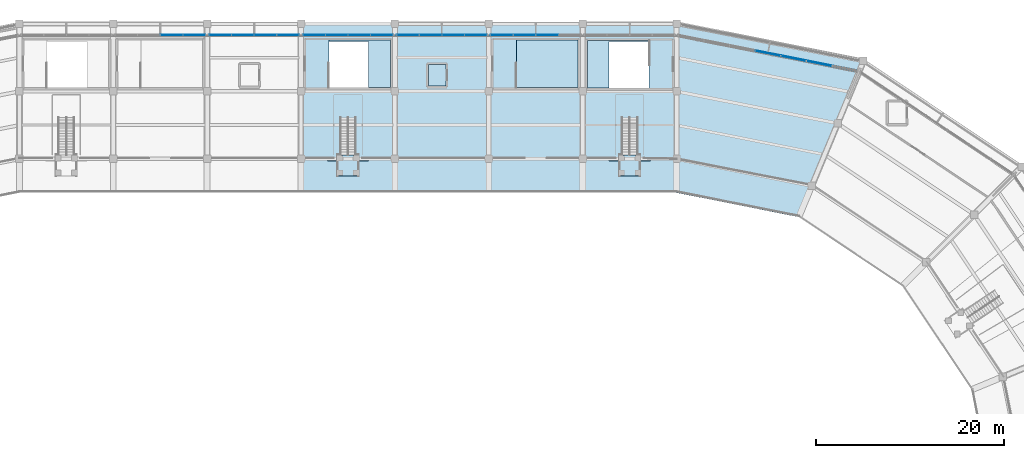
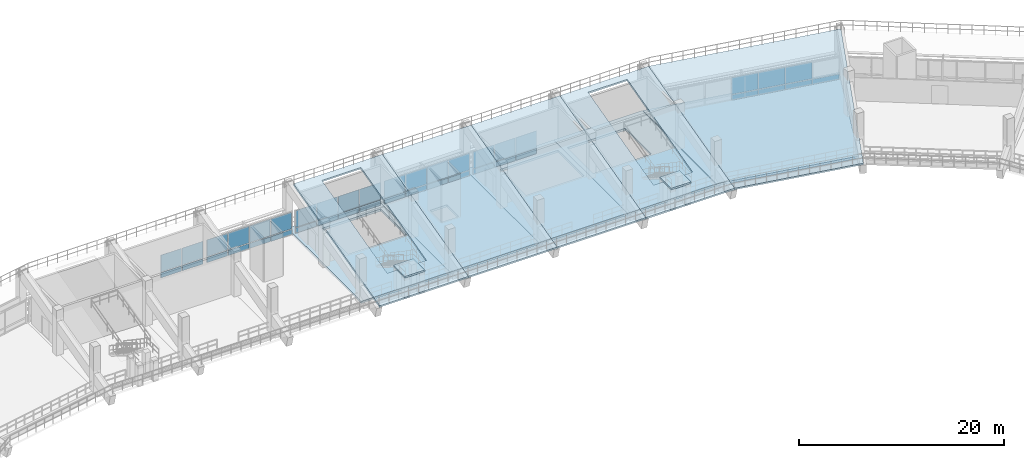
# One storey, part 57 of 96: 41 plates, 12 slabs, 8 elements without a shape of their own.
"""IFC4 building model written with IfcOpenShell, lengths in metres."""

from ifc_helpers import new_model, si_unit, direction, frame, origin, origin_2d, place, context, subcontext, project, spatial, polyline, rectangle, outline, extrude, material, layer, layer_set, type_object, element, aggregate, save


model = new_model("IFC4")

# Units and contexts
model_context = context("Model", 3, precision=1e-05, world=origin(), true_north=direction((0.0, 1.0)))
body_context = subcontext(model_context, "Body", "Model", "MODEL_VIEW")
ifc_project = project(units=[si_unit("LENGTHUNIT", "METRE"), si_unit("AREAUNIT", "SQUARE_METRE"), si_unit("VOLUMEUNIT", "CUBIC_METRE"), si_unit("PLANEANGLEUNIT", "RADIAN"), si_unit("MASSUNIT", "GRAM", prefix="KILO")], contexts=[model_context])

# Site, building, storey
site_placement = place(None, origin())
site = spatial("IfcSite", under=ifc_project, at=site_placement, CompositionType="ELEMENT")
building_placement = place(site_placement, origin())
building = spatial("IfcBuilding", under=site, at=building_placement, Name="Candeia Ridge Stadium", CompositionType="ELEMENT")
storey_placement = place(building_placement, frame((0.0, 0.0, 21.60009765625)))
storey = spatial("IfcBuildingStorey", under=building, at=storey_placement, Name="L04", CompositionType="ELEMENT", Elevation=21.60009765625)

# Slabs
ifc_material_1 = material(Name="Concrete C40/50", Category="concrete")
ifc_layer_1 = layer(ifc_material_1, 0.260009765625, Name="Concrete C40/50", Category="concrete")
ifc_layer_set_1 = layer_set([ifc_layer_1], Name="Concrete C40/50")
slab_type_1 = type_object("IfcSlabType", Name="Concourse Structural Slab 260", PredefinedType="FLOOR", material=ifc_layer_set_1)
slab_1_placement = place(storey_placement, frame((0.0, 0.0, -0.260009765625)))
element("IfcSlab", 1, at=slab_1_placement, inside=storey, type_object=slab_type_1, Name="Bowl concourse sector slab L04 bay 01 SLB-L04-0145", PredefinedType="FLOOR", context=body_context, shape_type="SweptSolid", body=[
    extrude(outline(polyline([(131.0, 132.60009765625), (131.0, 147.0), (140.9599609375, 147.0), (140.9599609375, 132.60009765625), (131.0, 132.60009765625)]), holes=[polyline([(138.04931640625, 145.199951171875), (131.5, 145.199951171875), (131.5, 140.14990234375), (138.04931640625, 140.14990234375), (138.04931640625, 145.199951171875)])]), origin(), (0.0, 0.0, 1.0), 0.260009765625),
])
slab_2_placement = place(storey_placement, frame((0.0, 0.0, -0.260009765625)))
element("IfcSlab", 2, at=slab_2_placement, inside=storey, type_object=slab_type_1, Name="Bowl concourse sector slab L04 bay 02 SLB-L04-0146", PredefinedType="FLOOR", context=body_context, shape_type="SweptSolid", body=[
    extrude(outline(polyline([(121.0, 132.60009765625), (121.0, 147.0), (131.0, 147.0), (131.0, 132.60009765625), (121.0, 132.60009765625)]), holes=[polyline([(123.95068359375, 140.199951171875), (130.5, 140.199951171875), (130.5, 145.25), (123.95068359375, 145.25), (123.95068359375, 140.199951171875)])]), origin(), (0.0, 0.0, 1.0), 0.260009765625),
])
slab_3_placement = place(storey_placement, frame((0.0, 0.0, -0.260009765625)))
element("IfcSlab", 3, at=slab_3_placement, inside=storey, type_object=slab_type_1, Name="Bowl concourse sector slab L04 bay 03 SLB-L04-0147", PredefinedType="FLOOR", context=body_context, shape_type="SweptSolid", body=[
    extrude(outline(polyline([(111.0, 132.60009765625), (111.0, 147.0), (121.0, 147.0), (121.0, 132.60009765625), (111.0, 132.60009765625)]), holes=[polyline([(116.449951171875, 140.35009765625), (116.449951171875, 142.64990234375), (114.550048828125, 142.64990234375), (114.550048828125, 140.35009765625), (116.449951171875, 140.35009765625)])]), origin(), (0.0, 0.0, 1.0), 0.260009765625),
])
slab_4_placement = place(storey_placement, frame((0.0, 0.0, -0.260009765625)))
element("IfcSlab", 4, at=slab_4_placement, inside=storey, type_object=slab_type_1, Name="Bowl concourse sector slab L04 bay 04 SLB-L04-0148", PredefinedType="FLOOR", context=body_context, shape_type="SweptSolid", body=[
    extrude(outline(polyline([(101.0, 132.60009765625), (101.0, 147.0), (111.0, 147.0), (111.0, 132.60009765625), (101.0, 132.60009765625)]), holes=[polyline([(103.95068359375, 140.199951171875), (110.5, 140.199951171875), (110.5, 145.25), (103.95068359375, 145.25), (103.95068359375, 140.199951171875)])]), origin(), (0.0, 0.0, 1.0), 0.260009765625),
])
slab_5_placement = place(storey_placement, frame((0.0, 0.0, -0.260009765625)))
element("IfcSlab", 5, at=slab_5_placement, inside=storey, type_object=slab_type_1, Name="Bowl concourse sector slab L04 bay 36 SLB-L04-0180", PredefinedType="FLOOR", context=body_context, shape_type="SweptSolid", body=[
    extrude(outline(polyline([(141.039306640625, 132.59228515625), (141.039306640625, 146.9921875), (160.8994140625, 143.041748046875), (155.388916015625, 129.73779296875), (141.039306640625, 132.59228515625)])), origin(), (0.0, 0.0, 1.0), 0.260009765625),
])

# Stair, slab
ifc_material_2 = material(Name="Precast concrete C45/55", Category="concrete")
stair_type = type_object("IfcStairType", Name="Spectator Vomitory Straight Stair 2200", PredefinedType="STRAIGHT_RUN_STAIR", material=ifc_material_2)
stair_1_placement = place(storey_placement, origin())
stair_1 = element("IfcStair", 6, at=stair_1_placement, inside=storey, type_object=stair_type, Name="Vomitory stair VS25", PredefinedType="STRAIGHT_RUN_STAIR")
ifc_layer_2 = layer(ifc_material_1, 0.199951171875, Name="Concrete C40/50", Category="concrete")
ifc_layer_set_2 = layer_set([ifc_layer_2], Name="Concrete C40/50")
slab_type_2 = type_object("IfcSlabType", Name="Core Stair Landing Slab 200", PredefinedType="LANDING", material=ifc_layer_set_2)
slab_6_placement = place(storey_placement, frame((0.0, 0.0, 2.493896484375)))
slab_6 = element("IfcSlab", 7, at=slab_6_placement, type_object=slab_type_2, Name="VS25 landing 1", PredefinedType="LANDING", context=body_context, shape_type="SweptSolid", body=[
    extrude(outline(polyline([(137.1201171875, 133.032470703125), (137.1201171875, 130.781982421875), (134.8798828125, 130.781982421875), (134.8798828125, 133.032470703125), (137.1201171875, 133.032470703125)])), origin(), (0.0, 0.0, 1.0), 0.199951171875),
])
aggregate(stair_1, [slab_6])

stair_2_placement = place(storey_placement, origin())
stair_2 = element("IfcStair", 8, at=stair_2_placement, inside=storey, type_object=stair_type, Name="Vomitory stair VS26", PredefinedType="STRAIGHT_RUN_STAIR")
slab_7_placement = place(storey_placement, frame((0.0, 0.0, 2.493896484375)))
slab_7 = element("IfcSlab", 9, at=slab_7_placement, type_object=slab_type_2, Name="VS26 landing 1", PredefinedType="LANDING", context=body_context, shape_type="SweptSolid", body=[
    extrude(outline(polyline([(107.1201171875, 133.032470703125), (107.1201171875, 130.781982421875), (104.8798828125, 130.781982421875), (104.8798828125, 133.032470703125), (107.1201171875, 133.032470703125)])), origin(), (0.0, 0.0, 1.0), 0.199951171875),
])
aggregate(stair_2, [slab_7])

# Curtain wall, plates
ifc_material_3 = material(Name="Aluminium Anodized Warm Bronze", Category="aluminium")
curtain_wall_type = type_object("IfcCurtainWallType", Name="Concourse Recessed Unitised Curtain Wall", PredefinedType="NOTDEFINED", material=ifc_material_3)
curtain_wall_1_placement = place(storey_placement, origin())
curtain_wall_1 = element("IfcCurtainWall", 10, at=curtain_wall_1_placement, inside=storey, type_object=curtain_wall_type, Name="Unitised curtain wall CW-BWL-L04-04", PredefinedType="NOTDEFINED")
ifc_material_4 = material(Name="Aluminium Insulated Spandrel", Category="aluminium")
ifc_layer_3 = layer(ifc_material_4, 0.06494140625, Name="Aluminium Insulated Spandrel", Category="aluminium")
ifc_layer_set_3 = layer_set([ifc_layer_3], Name="Aluminium Insulated Spandrel")
plate_type_1 = type_object("IfcPlateType", Name="Insulated Bronze Spandrel Panel SP1", PredefinedType="CURTAIN_PANEL", material=ifc_layer_set_3)
plate_1_placement = place(storey_placement, frame((99.614990234375, 145.800048828125, 0.0400390625), z_axis=(0.0, 0.0, 1.0), x_axis=(-1.0, 0.0, 0.0)))
plate_1 = element("IfcPlate", 11, at=plate_1_placement, type_object=plate_type_1, Name="Curtain wall spandrel panel CW-BWL-L04-04-SP0", PredefinedType="CURTAIN_PANEL", context=body_context, shape_type="SweptSolid", body=[
    extrude(rectangle(XDim=2.340087890625, YDim=0.06494140625, at=origin_2d()), origin(), (0.0, 0.0, 1.0), 0.613037109375),
])
plate_2_placement = place(storey_placement, frame((97.205078125, 145.800048828125, 0.0400390625), z_axis=(0.0, 0.0, 1.0), x_axis=(-1.0, 0.0, 0.0)))
plate_2 = element("IfcPlate", 12, at=plate_2_placement, type_object=plate_type_1, Name="Curtain wall spandrel panel CW-BWL-L04-04-SP1", PredefinedType="CURTAIN_PANEL", context=body_context, shape_type="SweptSolid", body=[
    extrude(rectangle(XDim=2.340087890625, YDim=0.06494140625, at=origin_2d()), origin(), (0.0, 0.0, 1.0), 0.613037109375),
])
plate_3_placement = place(storey_placement, frame((94.794921875, 145.800048828125, 0.0400390625), z_axis=(0.0, 0.0, 1.0), x_axis=(-1.0, 0.0, 0.0)))
plate_3 = element("IfcPlate", 13, at=plate_3_placement, type_object=plate_type_1, Name="Curtain wall spandrel panel CW-BWL-L04-04-SP2", PredefinedType="CURTAIN_PANEL", context=body_context, shape_type="SweptSolid", body=[
    extrude(rectangle(XDim=2.340087890625, YDim=0.06494140625, at=origin_2d()), origin(), (0.0, 0.0, 1.0), 0.613037109375),
])
plate_4_placement = place(storey_placement, frame((92.385009765625, 145.800048828125, 0.0400390625), z_axis=(0.0, 0.0, 1.0), x_axis=(-1.0, 0.0, 0.0)))
plate_4 = element("IfcPlate", 14, at=plate_4_placement, type_object=plate_type_1, Name="Curtain wall spandrel panel CW-BWL-L04-04-SP3", PredefinedType="CURTAIN_PANEL", context=body_context, shape_type="SweptSolid", body=[
    extrude(rectangle(XDim=2.340087890625, YDim=0.06494140625, at=origin_2d()), origin(), (0.0, 0.0, 1.0), 0.613037109375),
])

curtain_wall_2_placement = place(storey_placement, origin())
curtain_wall_2 = element("IfcCurtainWall", 15, at=curtain_wall_2_placement, inside=storey, type_object=curtain_wall_type, Name="Unitised curtain wall CW-BWL-L04-01", PredefinedType="NOTDEFINED")
ifc_layer_4 = layer(ifc_material_4, 0.06494140625, Name="Aluminium Insulated Spandrel", Category="aluminium")
ifc_layer_set_4 = layer_set([ifc_layer_4], Name="Aluminium Insulated Spandrel")
plate_type_2 = type_object("IfcPlateType", Name="Insulated Bronze Spandrel Panel SP2", PredefinedType="CURTAIN_PANEL", material=ifc_layer_set_4)
plate_5_placement = place(storey_placement, frame((127.205078125, 145.800048828125, 0.0400390625), z_axis=(0.0, 0.0, 1.0), x_axis=(-1.0, 0.0, 0.0)))
plate_5 = element("IfcPlate", 16, at=plate_5_placement, type_object=plate_type_2, Name="Curtain wall spandrel panel CW-BWL-L04-01-SP1", PredefinedType="CURTAIN_PANEL", context=body_context, shape_type="SweptSolid", body=[
    extrude(rectangle(XDim=2.340087890625, YDim=0.06494140625, at=origin_2d()), origin(), (0.0, 0.0, 1.0), 0.613037109375),
])
plate_6_placement = place(storey_placement, frame((124.794921875, 145.800048828125, 0.0400390625), z_axis=(0.0, 0.0, 1.0), x_axis=(-1.0, 0.0, 0.0)))
plate_6 = element("IfcPlate", 17, at=plate_6_placement, type_object=plate_type_2, Name="Curtain wall spandrel panel CW-BWL-L04-01-SP2", PredefinedType="CURTAIN_PANEL", context=body_context, shape_type="SweptSolid", body=[
    extrude(rectangle(XDim=2.340087890625, YDim=0.06494140625, at=origin_2d()), origin(), (0.0, 0.0, 1.0), 0.613037109375),
])
plate_7_placement = place(storey_placement, frame((122.385009765625, 145.800048828125, 0.0400390625), z_axis=(0.0, 0.0, 1.0), x_axis=(-1.0, 0.0, 0.0)))
plate_7 = element("IfcPlate", 18, at=plate_7_placement, type_object=plate_type_2, Name="Curtain wall spandrel panel CW-BWL-L04-01-SP3", PredefinedType="CURTAIN_PANEL", context=body_context, shape_type="SweptSolid", body=[
    extrude(rectangle(XDim=2.340087890625, YDim=0.06494140625, at=origin_2d()), origin(), (0.0, 0.0, 1.0), 0.613037109375),
])

curtain_wall_3_placement = place(storey_placement, origin())
curtain_wall_3 = element("IfcCurtainWall", 19, at=curtain_wall_3_placement, inside=storey, type_object=curtain_wall_type, Name="Unitised curtain wall CW-BWL-L04-05", PredefinedType="NOTDEFINED")
plate_8_placement = place(storey_placement, frame((89.614990234375, 145.800048828125, 0.0400390625), z_axis=(0.0, 0.0, 1.0), x_axis=(-1.0, 0.0, 0.0)))
plate_8 = element("IfcPlate", 20, at=plate_8_placement, type_object=plate_type_2, Name="Curtain wall spandrel panel CW-BWL-L04-05-SP0", PredefinedType="CURTAIN_PANEL", context=body_context, shape_type="SweptSolid", body=[
    extrude(rectangle(XDim=2.340087890625, YDim=0.06494140625, at=origin_2d()), origin(), (0.0, 0.0, 1.0), 0.613037109375),
])
plate_9_placement = place(storey_placement, frame((87.205078125, 145.800048828125, 0.0400390625), z_axis=(0.0, 0.0, 1.0), x_axis=(-1.0, 0.0, 0.0)))
plate_9 = element("IfcPlate", 21, at=plate_9_placement, type_object=plate_type_2, Name="Curtain wall spandrel panel CW-BWL-L04-05-SP1", PredefinedType="CURTAIN_PANEL", context=body_context, shape_type="SweptSolid", body=[
    extrude(rectangle(XDim=2.340087890625, YDim=0.06494140625, at=origin_2d()), origin(), (0.0, 0.0, 1.0), 0.613037109375),
])

curtain_wall_4_placement = place(storey_placement, origin())
curtain_wall_4 = element("IfcCurtainWall", 22, at=curtain_wall_4_placement, inside=storey, type_object=curtain_wall_type, Name="Unitised curtain wall CW-BWL-L04-02", PredefinedType="NOTDEFINED")
ifc_layer_5 = layer(ifc_material_4, 0.06494140625, Name="Aluminium Insulated Spandrel", Category="aluminium")
ifc_layer_set_5 = layer_set([ifc_layer_5], Name="Aluminium Insulated Spandrel")
plate_type_3 = type_object("IfcPlateType", Name="Insulated Bronze Spandrel Panel SP4", PredefinedType="CURTAIN_PANEL", material=ifc_layer_set_5)
plate_10_placement = place(storey_placement, frame((119.614990234375, 145.800048828125, 0.0400390625), z_axis=(0.0, 0.0, 1.0), x_axis=(-1.0, 0.0, 0.0)))
plate_10 = element("IfcPlate", 23, at=plate_10_placement, type_object=plate_type_3, Name="Curtain wall spandrel panel CW-BWL-L04-02-SP0", PredefinedType="CURTAIN_PANEL", context=body_context, shape_type="SweptSolid", body=[
    extrude(rectangle(XDim=2.340087890625, YDim=0.06494140625, at=origin_2d()), origin(), (0.0, 0.0, 1.0), 0.613037109375),
])
plate_11_placement = place(storey_placement, frame((117.205078125, 145.800048828125, 0.0400390625), z_axis=(0.0, 0.0, 1.0), x_axis=(-1.0, 0.0, 0.0)))
plate_11 = element("IfcPlate", 24, at=plate_11_placement, type_object=plate_type_3, Name="Curtain wall spandrel panel CW-BWL-L04-02-SP1", PredefinedType="CURTAIN_PANEL", context=body_context, shape_type="SweptSolid", body=[
    extrude(rectangle(XDim=2.340087890625, YDim=0.06494140625, at=origin_2d()), origin(), (0.0, 0.0, 1.0), 0.613037109375),
])
plate_12_placement = place(storey_placement, frame((114.794921875, 145.800048828125, 0.0400390625), z_axis=(0.0, 0.0, 1.0), x_axis=(-1.0, 0.0, 0.0)))
plate_12 = element("IfcPlate", 25, at=plate_12_placement, type_object=plate_type_3, Name="Curtain wall spandrel panel CW-BWL-L04-02-SP2", PredefinedType="CURTAIN_PANEL", context=body_context, shape_type="SweptSolid", body=[
    extrude(rectangle(XDim=2.340087890625, YDim=0.06494140625, at=origin_2d()), origin(), (0.0, 0.0, 1.0), 0.613037109375),
])
plate_13_placement = place(storey_placement, frame((112.385009765625, 145.800048828125, 0.0400390625), z_axis=(0.0, 0.0, 1.0), x_axis=(-1.0, 0.0, 0.0)))
plate_13 = element("IfcPlate", 26, at=plate_13_placement, type_object=plate_type_3, Name="Curtain wall spandrel panel CW-BWL-L04-02-SP3", PredefinedType="CURTAIN_PANEL", context=body_context, shape_type="SweptSolid", body=[
    extrude(rectangle(XDim=2.340087890625, YDim=0.06494140625, at=origin_2d()), origin(), (0.0, 0.0, 1.0), 0.613037109375),
])

curtain_wall_5_placement = place(storey_placement, origin())
curtain_wall_5 = element("IfcCurtainWall", 27, at=curtain_wall_5_placement, inside=storey, type_object=curtain_wall_type, Name="Unitised curtain wall CW-BWL-L04-03", PredefinedType="NOTDEFINED")
ifc_layer_6 = layer(ifc_material_4, 0.06494140625, Name="Aluminium Insulated Spandrel", Category="aluminium")
ifc_layer_set_6 = layer_set([ifc_layer_6], Name="Aluminium Insulated Spandrel")
plate_type_4 = type_object("IfcPlateType", Name="Insulated Bronze Spandrel Panel SP5", PredefinedType="CURTAIN_PANEL", material=ifc_layer_set_6)
plate_14_placement = place(storey_placement, frame((109.614990234375, 145.800048828125, 0.0400390625), z_axis=(0.0, 0.0, 1.0), x_axis=(-1.0, 0.0, 0.0)))
plate_14 = element("IfcPlate", 28, at=plate_14_placement, type_object=plate_type_4, Name="Curtain wall spandrel panel CW-BWL-L04-03-SP0", PredefinedType="CURTAIN_PANEL", context=body_context, shape_type="SweptSolid", body=[
    extrude(rectangle(XDim=2.340087890625, YDim=0.06494140625, at=origin_2d()), origin(), (0.0, 0.0, 1.0), 0.613037109375),
])
plate_15_placement = place(storey_placement, frame((107.205078125, 145.800048828125, 0.0400390625), z_axis=(0.0, 0.0, 1.0), x_axis=(-1.0, 0.0, 0.0)))
plate_15 = element("IfcPlate", 29, at=plate_15_placement, type_object=plate_type_4, Name="Curtain wall spandrel panel CW-BWL-L04-03-SP1", PredefinedType="CURTAIN_PANEL", context=body_context, shape_type="SweptSolid", body=[
    extrude(rectangle(XDim=2.340087890625, YDim=0.06494140625, at=origin_2d()), origin(), (0.0, 0.0, 1.0), 0.613037109375),
])
plate_16_placement = place(storey_placement, frame((104.794921875, 145.800048828125, 0.0400390625), z_axis=(0.0, 0.0, 1.0), x_axis=(-1.0, 0.0, 0.0)))
plate_16 = element("IfcPlate", 30, at=plate_16_placement, type_object=plate_type_4, Name="Curtain wall spandrel panel CW-BWL-L04-03-SP2", PredefinedType="CURTAIN_PANEL", context=body_context, shape_type="SweptSolid", body=[
    extrude(rectangle(XDim=2.340087890625, YDim=0.06494140625, at=origin_2d()), origin(), (0.0, 0.0, 1.0), 0.613037109375),
])
plate_17_placement = place(storey_placement, frame((102.385009765625, 145.800048828125, 0.0400390625), z_axis=(0.0, 0.0, 1.0), x_axis=(-1.0, 0.0, 0.0)))
plate_17 = element("IfcPlate", 31, at=plate_17_placement, type_object=plate_type_4, Name="Curtain wall spandrel panel CW-BWL-L04-03-SP3", PredefinedType="CURTAIN_PANEL", context=body_context, shape_type="SweptSolid", body=[
    extrude(rectangle(XDim=2.340087890625, YDim=0.06494140625, at=origin_2d()), origin(), (0.0, 0.0, 1.0), 0.613037109375),
])

curtain_wall_6_placement = place(storey_placement, origin())
curtain_wall_6 = element("IfcCurtainWall", 32, at=curtain_wall_6_placement, inside=storey, type_object=curtain_wall_type, Name="Unitised curtain wall CW-BWL-L04-35", PredefinedType="NOTDEFINED")
plate_18_placement = place(storey_placement, frame((158.900390625, 142.239501953125, 0.0400390625), z_axis=(0.0, 0.0, 1.0), x_axis=(-0.980785280696, 0.195090320544, 0.0)))
plate_18 = element("IfcPlate", 33, at=plate_18_placement, type_object=plate_type_4, Name="Curtain wall spandrel panel CW-BWL-L04-35-SP0", PredefinedType="CURTAIN_PANEL", context=body_context, shape_type="SweptSolid", body=[
    extrude(rectangle(XDim=2.710205078125, YDim=0.06494140625, at=origin_2d()), origin(), (0.0, 0.0, 1.0), 0.613037109375),
])
plate_19_placement = place(storey_placement, frame((156.173583984375, 142.78173828125, 0.0400390625), z_axis=(0.0, 0.0, 1.0), x_axis=(-0.980785280696, 0.195090320544, 0.0)))
plate_19 = element("IfcPlate", 34, at=plate_19_placement, type_object=plate_type_4, Name="Curtain wall spandrel panel CW-BWL-L04-35-SP1", PredefinedType="CURTAIN_PANEL", context=body_context, shape_type="SweptSolid", body=[
    extrude(rectangle(XDim=2.710205078125, YDim=0.06494140625, at=origin_2d()), origin(), (0.0, 0.0, 1.0), 0.613037109375),
])
plate_20_placement = place(storey_placement, frame((153.447021484375, 143.32421875, 0.0400390625), z_axis=(0.0, 0.0, 1.0), x_axis=(-0.980785280696, 0.195090320544, 0.0)))
plate_20 = element("IfcPlate", 35, at=plate_20_placement, type_object=plate_type_4, Name="Curtain wall spandrel panel CW-BWL-L04-35-SP2", PredefinedType="CURTAIN_PANEL", context=body_context, shape_type="SweptSolid", body=[
    extrude(rectangle(XDim=2.710205078125, YDim=0.06494140625, at=origin_2d()), origin(), (0.0, 0.0, 1.0), 0.613037109375),
])
plate_21_placement = place(storey_placement, frame((150.72021484375, 143.86669921875, 0.0400390625), z_axis=(0.0, 0.0, 1.0), x_axis=(-0.980785280696, 0.195090320544, 0.0)))
plate_21 = element("IfcPlate", 36, at=plate_21_placement, type_object=plate_type_4, Name="Curtain wall spandrel panel CW-BWL-L04-35-SP3", PredefinedType="CURTAIN_PANEL", context=body_context, shape_type="SweptSolid", body=[
    extrude(rectangle(XDim=2.710205078125, YDim=0.06494140625, at=origin_2d()), origin(), (0.0, 0.0, 1.0), 0.613037109375),
])

# Plate
ifc_material_5 = material(Name="Tempered Low-E Double Glazing", Category="glass")
ifc_layer_7 = layer(ifc_material_5, 0.035888671875, Name="Tempered Low-E Double Glazing", Category="glass")
ifc_layer_set_7 = layer_set([ifc_layer_7], Name="Tempered Low-E Double Glazing")
plate_type_5 = type_object("IfcPlateType", Name="Solar Control Vision Glass Panel GP1", PredefinedType="CURTAIN_PANEL", material=ifc_layer_set_7)
plate_22_placement = place(storey_placement, frame((119.614990234375, 145.800048828125, 0.733154296875), z_axis=(0.0, 0.0, 1.0), x_axis=(-1.0, 0.0, 0.0)))
plate_22 = element("IfcPlate", 37, at=plate_22_placement, type_object=plate_type_5, Name="Curtain wall vision glass panel CW-BWL-L04-02-GP0", PredefinedType="CURTAIN_PANEL", context=body_context, shape_type="SweptSolid", body=[
    extrude(rectangle(XDim=2.340087890625, YDim=0.035888671875, at=origin_2d()), origin(), (0.0, 0.0, 1.0), 1.9990234375),
])

plate_23_placement = place(storey_placement, frame((117.205078125, 145.800048828125, 0.733154296875), z_axis=(0.0, 0.0, 1.0), x_axis=(-1.0, 0.0, 0.0)))
plate_23 = element("IfcPlate", 38, at=plate_23_placement, type_object=plate_type_5, Name="Curtain wall vision glass panel CW-BWL-L04-02-GP1", PredefinedType="CURTAIN_PANEL", context=body_context, shape_type="SweptSolid", body=[
    extrude(rectangle(XDim=2.340087890625, YDim=0.035888671875, at=origin_2d()), origin(), (0.0, 0.0, 1.0), 1.9990234375),
])

plate_24_placement = place(storey_placement, frame((114.794921875, 145.800048828125, 0.733154296875), z_axis=(0.0, 0.0, 1.0), x_axis=(-1.0, 0.0, 0.0)))
plate_24 = element("IfcPlate", 39, at=plate_24_placement, type_object=plate_type_5, Name="Curtain wall vision glass panel CW-BWL-L04-02-GP2", PredefinedType="CURTAIN_PANEL", context=body_context, shape_type="SweptSolid", body=[
    extrude(rectangle(XDim=2.340087890625, YDim=0.035888671875, at=origin_2d()), origin(), (0.0, 0.0, 1.0), 1.9990234375),
])

plate_25_placement = place(storey_placement, frame((112.385009765625, 145.800048828125, 0.733154296875), z_axis=(0.0, 0.0, 1.0), x_axis=(-1.0, 0.0, 0.0)))
plate_25 = element("IfcPlate", 40, at=plate_25_placement, type_object=plate_type_5, Name="Curtain wall vision glass panel CW-BWL-L04-02-GP3", PredefinedType="CURTAIN_PANEL", context=body_context, shape_type="SweptSolid", body=[
    extrude(rectangle(XDim=2.340087890625, YDim=0.035888671875, at=origin_2d()), origin(), (0.0, 0.0, 1.0), 1.9990234375),
])

aggregate(curtain_wall_4, [plate_10, plate_22, plate_11, plate_23, plate_12, plate_24, plate_13, plate_25])

ifc_layer_8 = layer(ifc_material_5, 0.035888671875, Name="Tempered Low-E Double Glazing", Category="glass")
ifc_layer_set_8 = layer_set([ifc_layer_8], Name="Tempered Low-E Double Glazing")
plate_type_6 = type_object("IfcPlateType", Name="Solar Control Vision Glass Panel GP2", PredefinedType="CURTAIN_PANEL", material=ifc_layer_set_8)
plate_26_placement = place(storey_placement, frame((109.614990234375, 145.800048828125, 0.733154296875), z_axis=(0.0, 0.0, 1.0), x_axis=(-1.0, 0.0, 0.0)))
plate_26 = element("IfcPlate", 41, at=plate_26_placement, type_object=plate_type_6, Name="Curtain wall vision glass panel CW-BWL-L04-03-GP0", PredefinedType="CURTAIN_PANEL", context=body_context, shape_type="SweptSolid", body=[
    extrude(rectangle(XDim=2.340087890625, YDim=0.035888671875, at=origin_2d()), origin(), (0.0, 0.0, 1.0), 1.9990234375),
])

plate_27_placement = place(storey_placement, frame((107.205078125, 145.800048828125, 0.733154296875), z_axis=(0.0, 0.0, 1.0), x_axis=(-1.0, 0.0, 0.0)))
plate_27 = element("IfcPlate", 42, at=plate_27_placement, type_object=plate_type_6, Name="Curtain wall vision glass panel CW-BWL-L04-03-GP1", PredefinedType="CURTAIN_PANEL", context=body_context, shape_type="SweptSolid", body=[
    extrude(rectangle(XDim=2.340087890625, YDim=0.035888671875, at=origin_2d()), origin(), (0.0, 0.0, 1.0), 1.9990234375),
])

plate_28_placement = place(storey_placement, frame((104.794921875, 145.800048828125, 0.733154296875), z_axis=(0.0, 0.0, 1.0), x_axis=(-1.0, 0.0, 0.0)))
plate_28 = element("IfcPlate", 43, at=plate_28_placement, type_object=plate_type_6, Name="Curtain wall vision glass panel CW-BWL-L04-03-GP2", PredefinedType="CURTAIN_PANEL", context=body_context, shape_type="SweptSolid", body=[
    extrude(rectangle(XDim=2.340087890625, YDim=0.035888671875, at=origin_2d()), origin(), (0.0, 0.0, 1.0), 1.9990234375),
])

plate_29_placement = place(storey_placement, frame((102.385009765625, 145.800048828125, 0.733154296875), z_axis=(0.0, 0.0, 1.0), x_axis=(-1.0, 0.0, 0.0)))
plate_29 = element("IfcPlate", 44, at=plate_29_placement, type_object=plate_type_6, Name="Curtain wall vision glass panel CW-BWL-L04-03-GP3", PredefinedType="CURTAIN_PANEL", context=body_context, shape_type="SweptSolid", body=[
    extrude(rectangle(XDim=2.340087890625, YDim=0.035888671875, at=origin_2d()), origin(), (0.0, 0.0, 1.0), 1.9990234375),
])

aggregate(curtain_wall_5, [plate_14, plate_26, plate_15, plate_27, plate_16, plate_28, plate_17, plate_29])

ifc_layer_9 = layer(ifc_material_5, 0.035888671875, Name="Tempered Low-E Double Glazing", Category="glass")
ifc_layer_set_9 = layer_set([ifc_layer_9], Name="Tempered Low-E Double Glazing")
plate_type_7 = type_object("IfcPlateType", Name="Solar Control Vision Glass Panel GP5", PredefinedType="CURTAIN_PANEL", material=ifc_layer_set_9)
plate_30_placement = place(storey_placement, frame((99.614990234375, 145.800048828125, 0.733154296875), z_axis=(0.0, 0.0, 1.0), x_axis=(-1.0, 0.0, 0.0)))
plate_30 = element("IfcPlate", 45, at=plate_30_placement, type_object=plate_type_7, Name="Curtain wall vision glass panel CW-BWL-L04-04-GP0", PredefinedType="CURTAIN_PANEL", context=body_context, shape_type="SweptSolid", body=[
    extrude(rectangle(XDim=2.340087890625, YDim=0.035888671875, at=origin_2d()), origin(), (0.0, 0.0, 1.0), 1.9990234375),
])

plate_31_placement = place(storey_placement, frame((97.205078125, 145.800048828125, 0.733154296875), z_axis=(0.0, 0.0, 1.0), x_axis=(-1.0, 0.0, 0.0)))
plate_31 = element("IfcPlate", 46, at=plate_31_placement, type_object=plate_type_7, Name="Curtain wall vision glass panel CW-BWL-L04-04-GP1", PredefinedType="CURTAIN_PANEL", context=body_context, shape_type="SweptSolid", body=[
    extrude(rectangle(XDim=2.340087890625, YDim=0.035888671875, at=origin_2d()), origin(), (0.0, 0.0, 1.0), 1.9990234375),
])

plate_32_placement = place(storey_placement, frame((94.794921875, 145.800048828125, 0.733154296875), z_axis=(0.0, 0.0, 1.0), x_axis=(-1.0, 0.0, 0.0)))
plate_32 = element("IfcPlate", 47, at=plate_32_placement, type_object=plate_type_7, Name="Curtain wall vision glass panel CW-BWL-L04-04-GP2", PredefinedType="CURTAIN_PANEL", context=body_context, shape_type="SweptSolid", body=[
    extrude(rectangle(XDim=2.340087890625, YDim=0.035888671875, at=origin_2d()), origin(), (0.0, 0.0, 1.0), 1.9990234375),
])

plate_33_placement = place(storey_placement, frame((92.385009765625, 145.800048828125, 0.733154296875), z_axis=(0.0, 0.0, 1.0), x_axis=(-1.0, 0.0, 0.0)))
plate_33 = element("IfcPlate", 48, at=plate_33_placement, type_object=plate_type_7, Name="Curtain wall vision glass panel CW-BWL-L04-04-GP3", PredefinedType="CURTAIN_PANEL", context=body_context, shape_type="SweptSolid", body=[
    extrude(rectangle(XDim=2.340087890625, YDim=0.035888671875, at=origin_2d()), origin(), (0.0, 0.0, 1.0), 1.9990234375),
])

aggregate(curtain_wall_1, [plate_1, plate_30, plate_2, plate_31, plate_3, plate_32, plate_4, plate_33])

ifc_layer_10 = layer(ifc_material_5, 0.035888671875, Name="Tempered Low-E Double Glazing", Category="glass")
ifc_layer_set_10 = layer_set([ifc_layer_10], Name="Tempered Low-E Double Glazing")
plate_type_8 = type_object("IfcPlateType", Name="Solar Control Vision Glass Panel GP6", PredefinedType="CURTAIN_PANEL", material=ifc_layer_set_10)
plate_34_placement = place(storey_placement, frame((89.614990234375, 145.800048828125, 0.733154296875), z_axis=(0.0, 0.0, 1.0), x_axis=(-1.0, 0.0, 0.0)))
plate_34 = element("IfcPlate", 49, at=plate_34_placement, type_object=plate_type_8, Name="Curtain wall vision glass panel CW-BWL-L04-05-GP0", PredefinedType="CURTAIN_PANEL", context=body_context, shape_type="SweptSolid", body=[
    extrude(rectangle(XDim=2.340087890625, YDim=0.035888671875, at=origin_2d()), origin(), (0.0, 0.0, 1.0), 1.9990234375),
])

plate_35_placement = place(storey_placement, frame((87.205078125, 145.800048828125, 0.733154296875), z_axis=(0.0, 0.0, 1.0), x_axis=(-1.0, 0.0, 0.0)))
plate_35 = element("IfcPlate", 50, at=plate_35_placement, type_object=plate_type_8, Name="Curtain wall vision glass panel CW-BWL-L04-05-GP1", PredefinedType="CURTAIN_PANEL", context=body_context, shape_type="SweptSolid", body=[
    extrude(rectangle(XDim=2.340087890625, YDim=0.035888671875, at=origin_2d()), origin(), (0.0, 0.0, 1.0), 1.9990234375),
])

aggregate(curtain_wall_3, [plate_8, plate_34, plate_9, plate_35])

plate_36_placement = place(storey_placement, frame((156.173583984375, 142.78173828125, 0.733154296875), z_axis=(0.0, 0.0, 1.0), x_axis=(-0.980785280696, 0.195090320544, 0.0)))
plate_36 = element("IfcPlate", 51, at=plate_36_placement, type_object=plate_type_8, Name="Curtain wall vision glass panel CW-BWL-L04-35-GP1", PredefinedType="CURTAIN_PANEL", context=body_context, shape_type="SweptSolid", body=[
    extrude(rectangle(XDim=2.710205078125, YDim=0.035888671875, at=origin_2d()), origin(), (0.0, 0.0, 1.0), 1.9990234375),
])

plate_37_placement = place(storey_placement, frame((153.447021484375, 143.32421875, 0.733154296875), z_axis=(0.0, 0.0, 1.0), x_axis=(-0.980785280696, 0.195090320544, 0.0)))
plate_37 = element("IfcPlate", 52, at=plate_37_placement, type_object=plate_type_8, Name="Curtain wall vision glass panel CW-BWL-L04-35-GP2", PredefinedType="CURTAIN_PANEL", context=body_context, shape_type="SweptSolid", body=[
    extrude(rectangle(XDim=2.710205078125, YDim=0.035888671875, at=origin_2d()), origin(), (0.0, 0.0, 1.0), 1.9990234375),
])

plate_38_placement = place(storey_placement, frame((150.72021484375, 143.86669921875, 0.733154296875), z_axis=(0.0, 0.0, 1.0), x_axis=(-0.980785280696, 0.195090320544, 0.0)))
plate_38 = element("IfcPlate", 53, at=plate_38_placement, type_object=plate_type_8, Name="Curtain wall vision glass panel CW-BWL-L04-35-GP3", PredefinedType="CURTAIN_PANEL", context=body_context, shape_type="SweptSolid", body=[
    extrude(rectangle(XDim=2.710205078125, YDim=0.035888671875, at=origin_2d()), origin(), (0.0, 0.0, 1.0), 1.9990234375),
])

aggregate(curtain_wall_6, [plate_18, plate_19, plate_36, plate_20, plate_37, plate_21, plate_38])

ifc_layer_11 = layer(ifc_material_5, 0.035888671875, Name="Tempered Low-E Double Glazing", Category="glass")
ifc_layer_set_11 = layer_set([ifc_layer_11], Name="Tempered Low-E Double Glazing")
plate_type_9 = type_object("IfcPlateType", Name="Solar Control Vision Glass Panel GP8", PredefinedType="CURTAIN_PANEL", material=ifc_layer_set_11)
plate_39_placement = place(storey_placement, frame((127.205078125, 145.800048828125, 0.733154296875), z_axis=(0.0, 0.0, 1.0), x_axis=(-1.0, 0.0, 0.0)))
plate_39 = element("IfcPlate", 54, at=plate_39_placement, type_object=plate_type_9, Name="Curtain wall vision glass panel CW-BWL-L04-01-GP1", PredefinedType="CURTAIN_PANEL", context=body_context, shape_type="SweptSolid", body=[
    extrude(rectangle(XDim=2.340087890625, YDim=0.035888671875, at=origin_2d()), origin(), (0.0, 0.0, 1.0), 1.9990234375),
])

plate_40_placement = place(storey_placement, frame((124.794921875, 145.800048828125, 0.733154296875), z_axis=(0.0, 0.0, 1.0), x_axis=(-1.0, 0.0, 0.0)))
plate_40 = element("IfcPlate", 55, at=plate_40_placement, type_object=plate_type_9, Name="Curtain wall vision glass panel CW-BWL-L04-01-GP2", PredefinedType="CURTAIN_PANEL", context=body_context, shape_type="SweptSolid", body=[
    extrude(rectangle(XDim=2.340087890625, YDim=0.035888671875, at=origin_2d()), origin(), (0.0, 0.0, 1.0), 1.9990234375),
])

plate_41_placement = place(storey_placement, frame((122.385009765625, 145.800048828125, 0.733154296875), z_axis=(0.0, 0.0, 1.0), x_axis=(-1.0, 0.0, 0.0)))
plate_41 = element("IfcPlate", 56, at=plate_41_placement, type_object=plate_type_9, Name="Curtain wall vision glass panel CW-BWL-L04-01-GP3", PredefinedType="CURTAIN_PANEL", context=body_context, shape_type="SweptSolid", body=[
    extrude(rectangle(XDim=2.340087890625, YDim=0.035888671875, at=origin_2d()), origin(), (0.0, 0.0, 1.0), 1.9990234375),
])

aggregate(curtain_wall_2, [plate_5, plate_39, plate_6, plate_40, plate_7, plate_41])

# Slabs
ifc_layer_12 = layer(ifc_material_2, 0.239990234375, Name="Precast concrete C45/55", Category="concrete")
ifc_layer_set_12 = layer_set([ifc_layer_12], Name="Precast concrete C45/55")
slab_type_3 = type_object("IfcSlabType", Name="Upper Cantilever Tier Precast 240", PredefinedType="USERDEFINED", material=ifc_layer_set_12)
slab_8_placement = place(storey_placement, frame((141.0, 129.0, 1.64990234375), z_axis=(0.0, -0.25066676964, 0.968073432441), x_axis=(-1.0, 0.0, 0.0)))
element("IfcSlab", 57, at=slab_8_placement, inside=storey, type_object=slab_type_3, Name="Stand Upper Tier Stands Bay 01", ObjectType="SEATING TIER", PredefinedType="USERDEFINED", context=body_context, shape_type="SweptSolid", body=[
    extrude(outline(polyline([(0.0, 0.0), (10.0, 0.0), (10.0, -17.354105861331373), (0.0, -17.354105861331373), (0.0, 0.0)]), holes=[polyline([(2.800048828125, -3.470940189864134), (7.199951171875, -3.470940189864134), (7.199951171875, -16.65981104534905), (2.800048828125, -16.65981104534905), (2.800048828125, -3.470940189864134)])]), origin(), (0.0, 0.0, -1.0), 0.239990234375),
])
for number, where, z_axis, x_axis, name in (
    (58, (131.0, 129.0, 1.64990234375), (0.0, -0.25066676964, 0.968073432441), (-1.0, 0.0, 0.0), "Stand Upper Tier Stands Bay 02"),
    (59, (121.0, 129.0, 1.64990234375), (0.0, -0.25066676964, 0.968073432441), (-1.0, 0.0, 0.0), "Stand Upper Tier Stands Bay 03"),
):
    element("IfcSlab", number, at=place(storey_placement, frame(where, z_axis=z_axis, x_axis=x_axis)), inside=storey, type_object=slab_type_3, Name=name, ObjectType="SEATING TIER", PredefinedType="USERDEFINED", context=body_context, shape_type="SweptSolid", body=[
        extrude(outline(polyline([(0.0, 0.0), (10.0, 0.0), (10.0, -17.354105861331373), (0.0, -17.354105861331373), (0.0, 0.0)])), origin(), (0.0, 0.0, -1.0), 0.239990234375),
    ])
slab_9_placement = place(storey_placement, frame((111.0, 129.0, 1.64990234375), z_axis=(0.0, -0.25066676964, 0.968073432441), x_axis=(-1.0, 0.0, 0.0)))
element("IfcSlab", 60, at=slab_9_placement, inside=storey, type_object=slab_type_3, Name="Stand Upper Tier Stands Bay 04", ObjectType="SEATING TIER", PredefinedType="USERDEFINED", context=body_context, shape_type="SweptSolid", body=[
    extrude(outline(polyline([(0.0, 0.0), (10.0, 0.0), (10.0, -17.354105861331373), (0.0, -17.354105861331373), (0.0, 0.0)]), holes=[polyline([(2.800048828125, -3.470940189864134), (7.199951171875, -3.470940189864134), (7.199951171875, -16.65981104534905), (2.800048828125, -16.65981104534905), (2.800048828125, -3.470940189864134)])]), origin(), (0.0, 0.0, -1.0), 0.239990234375),
])
slab_10_placement = place(storey_placement, frame((154.010986328125, 126.412109375, 1.64990234375), z_axis=(-0.049798786666, -0.2503576128, 0.966871835643), x_axis=(-0.980787398066, 0.195079675491, -2.420734e-06)))
element("IfcSlab", 61, at=slab_10_placement, inside=storey, type_object=slab_type_3, Name="Stand Upper Tier Stands Bay 36", ObjectType="SEATING TIER", PredefinedType="USERDEFINED", context=body_context, shape_type="SweptSolid", body=[
    extrude(outline(polyline([(0.0, 0.0), (13.265856290361187, 4.440892098500626e-16), (16.54319383355014, -17.04183232147286), (-3.2776177725242213, -17.04151855011149), (0.0, 0.0)])), origin(), (0.0, 0.0, -1.0), 0.239990234375),
])

save(model, "model.ifc")
